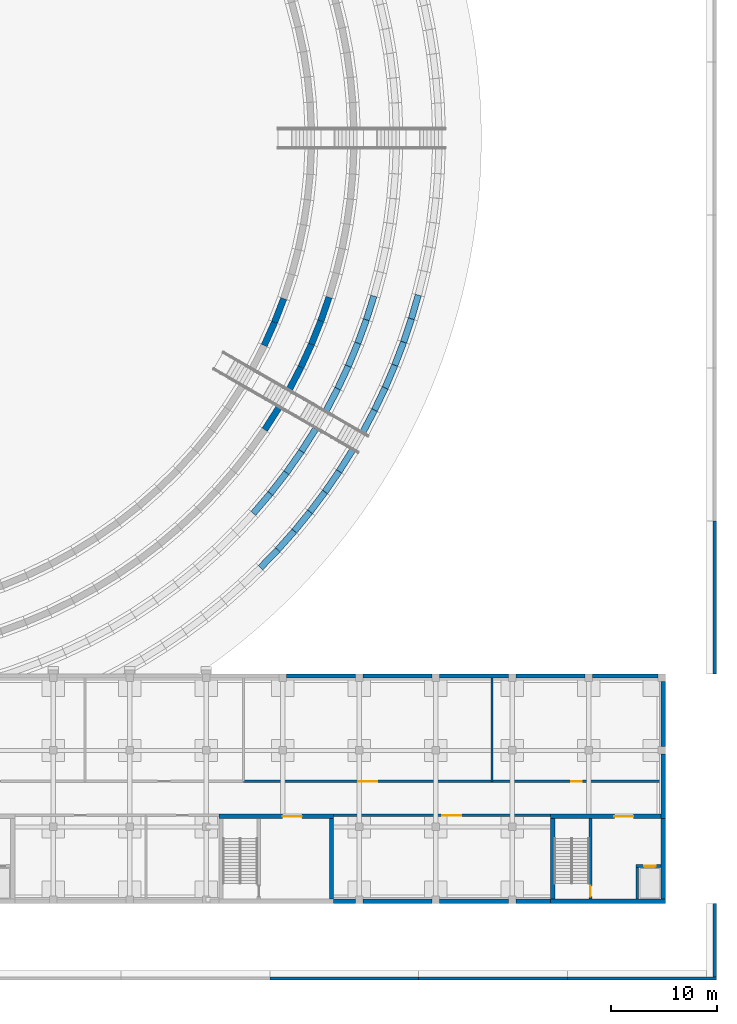
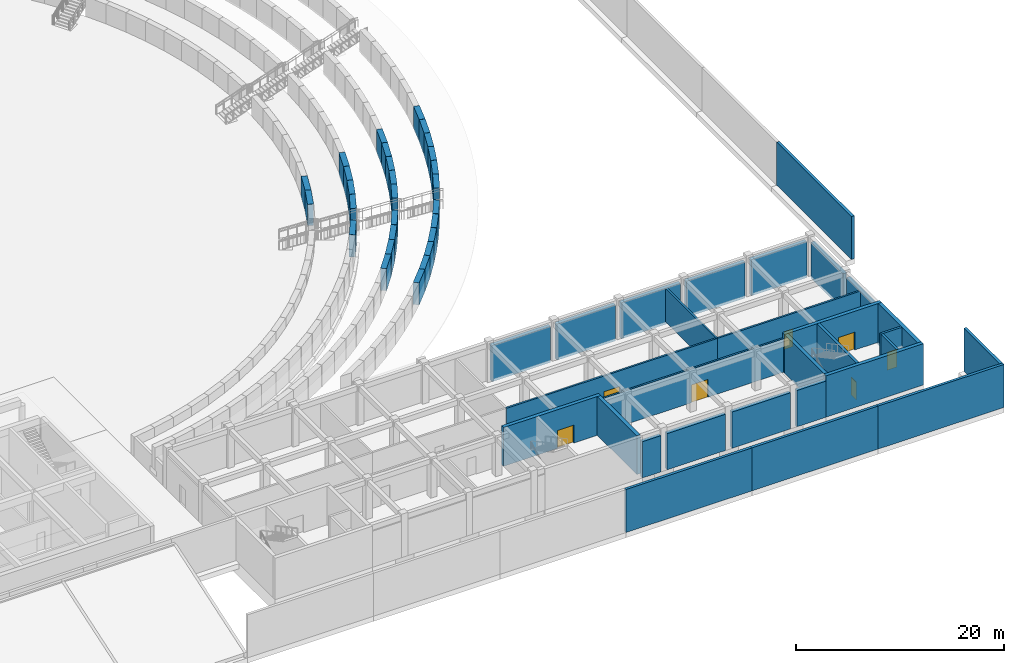
# One storey, part 46 of 73: 57 walls, 7 doors, 7 openings.
"""IFC4 building model written with IfcOpenShell, lengths in metres."""

from ifc_helpers import new_model, si_unit, direction, frame, frame_2d, origin, place, context, subcontext, project, spatial, rectangle, extrude, material, layer, layer_set, type_object, element, fill, save


model = new_model("IFC4")

# Units and contexts
model_context = context("Model", 3, precision=1e-05, world=origin(), true_north=direction((0.0, 1.0)))
body_context = subcontext(model_context, "Body", "Model", "MODEL_VIEW")
ifc_project = project(units=[si_unit("LENGTHUNIT", "METRE"), si_unit("AREAUNIT", "SQUARE_METRE"), si_unit("VOLUMEUNIT", "CUBIC_METRE"), si_unit("PLANEANGLEUNIT", "RADIAN"), si_unit("MASSUNIT", "GRAM", prefix="KILO")], contexts=[model_context])

# Site, building, storey
site_placement = place(None, origin())
site = spatial("IfcSite", under=ifc_project, at=site_placement, CompositionType="ELEMENT")
building_placement = place(site_placement, origin())
building = spatial("IfcBuilding", under=site, at=building_placement, Name="Alderwick Market Hall", CompositionType="ELEMENT")
storey_placement = place(building_placement, origin())
storey = spatial("IfcBuildingStorey", under=building, at=storey_placement, Name="LG", CompositionType="ELEMENT", Elevation=0.0)

# Walls
ifc_material_1 = material(Name="Concrete 5000 psi (f'c 35 MPa)", Category="concrete")
ifc_layer_1 = layer(ifc_material_1, 0.39990234375)
ifc_layer_set_1 = layer_set([ifc_layer_1], Name="Concrete 5000 psi (f'c 35 MPa)")
wall_type_1 = type_object("IfcWallType", Name="C Base Wall Concrete 5000 psi 400", PredefinedType="SHEAR", material=ifc_layer_set_1)
for number, where, z_axis, x_axis, name in (
    (1, (194.75, 28.60009765625, -0.300048828125), (0.0, 0.0, 1.0), (1.0, 0.0, 0.0), "C.wall.LG.fac.front.06"),
    (2, (201.949951171875, 28.60009765625, -0.300048828125), (0.0, 0.0, 1.0), (1.0, 0.0, 0.0), "C.wall.LG.fac.front.07"),
    (3, (209.14990234375, 28.60009765625, -0.300048828125), (0.0, 0.0, 1.0), (1.0, 0.0, 0.0), "C.wall.LG.fac.front.08"),
    (4, (216.35009765625, 28.60009765625, -0.300048828125), (0.0, 0.0, 1.0), (1.0, 0.0, 0.0), "C.wall.LG.fac.front.09"),
):
    element("IfcWall", number, at=place(storey_placement, frame(where, z_axis=z_axis, x_axis=x_axis)), inside=storey, type_object=wall_type_1, Name=name, PredefinedType="SHEAR", context=body_context, shape_type="SweptSolid", body=[
        extrude(rectangle(XDim=6.5, YDim=0.39990234375, at=frame_2d((3.25, 0.0))), origin(), (0.0, 0.0, 1.0), 4.25),
    ])
wall_1_placement = place(storey_placement, frame((223.550048828125, 28.60009765625, -0.300048828125), z_axis=(0.0, 0.0, 1.0), x_axis=(1.0, 0.0, 0.0)))
element("IfcWall", 5, at=wall_1_placement, inside=storey, type_object=wall_type_1, Name="C.wall.LG.fac.front.10", PredefinedType="SHEAR", context=body_context, shape_type="SweptSolid", body=[
    extrude(rectangle(XDim=6.14990234375, YDim=0.39990234375, at=frame_2d((3.074951171875, 0.0))), origin(), (0.0, 0.0, 1.0), 4.25),
])
wall_2_placement = place(storey_placement, frame((201.25, 7.39990234375, -0.300048828125), z_axis=(0.0, 0.0, 1.0), x_axis=(-1.0, 0.0, 0.0)))
element("IfcWall", 6, at=wall_2_placement, inside=storey, type_object=wall_type_1, Name="C.wall.LG.fac.back.07", PredefinedType="SHEAR", context=body_context, shape_type="SweptSolid", body=[
    extrude(rectangle(XDim=2.050048828125, YDim=0.39990234375, at=frame_2d((1.02490234375, 0.0))), origin(), (0.0, 0.0, 1.0), 4.25),
])
for number, where, z_axis, x_axis, name in (
    (7, (208.449951171875, 7.39990234375, -0.300048828125), (0.0, 0.0, 1.0), (-1.0, 0.0, 0.0), "C.wall.LG.fac.back.08"),
    (8, (215.64990234375, 7.39990234375, -0.300048828125), (0.0, 0.0, 1.0), (-1.0, 0.0, 0.0), "C.wall.LG.fac.back.09"),
):
    element("IfcWall", number, at=place(storey_placement, frame(where, z_axis=z_axis, x_axis=x_axis)), inside=storey, type_object=wall_type_1, Name=name, PredefinedType="SHEAR", context=body_context, shape_type="SweptSolid", body=[
        extrude(rectangle(XDim=6.5, YDim=0.39990234375, at=frame_2d((3.25, 0.0))), origin(), (0.0, 0.0, 1.0), 4.25),
    ])
wall_3_placement = place(storey_placement, frame((219.60009765625, 7.39990234375, -0.300048828125), z_axis=(0.0, 0.0, 1.0), x_axis=(-1.0, 0.0, 0.0)))
element("IfcWall", 9, at=wall_3_placement, inside=storey, type_object=wall_type_1, Name="C.wall.LG.fac.back.10", PredefinedType="SHEAR", context=body_context, shape_type="SweptSolid", body=[
    extrude(rectangle(XDim=3.25, YDim=0.39990234375, at=frame_2d((1.625, 0.0))), origin(), (0.0, 0.0, 1.0), 4.25),
])
wall_4_placement = place(storey_placement, frame((230.199951171875, 28.10009765625, -0.300048828125), z_axis=(0.0, 0.0, 1.0), x_axis=(0.0, -1.0, 0.0)))
element("IfcWall", 10, at=wall_4_placement, inside=storey, type_object=wall_type_1, Name="C.wall.LG.fac.east.01", PredefinedType="SHEAR", context=body_context, shape_type="SweptSolid", body=[
    extrude(rectangle(XDim=6.150146484375, YDim=0.39990234375, at=frame_2d((3.0751953125, 0.0))), origin(), (0.0, 0.0, 1.0), 4.25),
])
wall_5_placement = place(storey_placement, frame((230.199951171875, 21.25, -0.300048828125), z_axis=(0.0, 0.0, 1.0), x_axis=(0.0, -1.0, 0.0)))
element("IfcWall", 11, at=wall_5_placement, inside=storey, type_object=wall_type_1, Name="C.wall.LG.fac.east.02", PredefinedType="SHEAR", context=body_context, shape_type="SweptSolid", body=[
    extrude(rectangle(XDim=6.050048828125, YDim=0.39990234375, at=frame_2d((3.02490234375, 0.0))), origin(), (0.0, 0.0, 1.0), 4.25),
])
ifc_layer_2 = layer(ifc_material_1, 0.39990234375)
ifc_layer_set_2 = layer_set([ifc_layer_2], Name="Concrete 5000 psi (f'c 35 MPa)")
wall_type_2 = type_object("IfcWallType", Name="C Core Wall Concrete 5000 psi 400", PredefinedType="SHEAR", material=ifc_layer_set_2)
wall_6_placement = place(storey_placement, frame((230.39990234375, 7.39990234375, -0.300048828125), z_axis=(0.0, 0.0, 1.0), x_axis=(-1.0, 0.0, 0.0)))
element("IfcWall", 12, at=wall_6_placement, inside=storey, type_object=wall_type_2, Name="C.wall.LG.fac.back.11", PredefinedType="SHEAR", context=body_context, shape_type="SweptSolid", body=[
    extrude(rectangle(XDim=10.7998046875, YDim=0.39990234375, at=frame_2d((5.39990234375, 0.0))), origin(), (0.0, 0.0, 1.0), 4.85009765625),
])
wall_7_placement = place(storey_placement, frame((230.199951171875, 15.199951171875, -0.300048828125), z_axis=(0.0, 0.0, 1.0), x_axis=(0.0, -1.0, 0.0)))
element("IfcWall", 13, at=wall_7_placement, inside=storey, type_object=wall_type_2, Name="C.wall.LG.fac.east.03", PredefinedType="SHEAR", context=body_context, shape_type="SweptSolid", body=[
    extrude(rectangle(XDim=7.599853515625, YDim=0.39990234375, at=frame_2d((3.7998046875, 0.0))), origin(), (0.0, 0.0, 1.0), 4.85009765625),
])

# Wall, opening, door
wall_8_placement = place(storey_placement, frame((188.39990234375, 15.39990234375, 0.0), z_axis=(0.0, 0.0, 1.0), x_axis=(1.0, 0.0, 0.0)))
wall_8 = element("IfcWall", 14, at=wall_8_placement, inside=storey, type_object=wall_type_2, Name="C.wall.LG.core.B.front.01", PredefinedType="SHEAR", context=body_context, shape_type="SweptSolid", body=[
    extrude(rectangle(XDim=10.800048828125, YDim=0.39990234375, at=frame_2d((5.39990234375, 0.0))), origin(), (0.0, 0.0, 1.0), 4.550048828125),
])
opening_1_placement = place(wall_8_placement, frame((6.0, 0.0, 0.0)))
opening_1 = element("IfcOpeningElement", 15, at=opening_1_placement, cuts=wall_8, Name="Opening C-D023", PredefinedType="OPENING", context=body_context, shape_type="SweptSolid", body=[
    extrude(rectangle(XDim=1.800048828125, YDim=2.10009765625, at=frame_2d((0.89990234375, 1.050048828125))), frame((0.0, 0.2099609375, 0.0), z_axis=(0.0, -1.0, 0.0), x_axis=(1.0, 0.0, 0.0)), (0.0, 0.0, 1.0), 0.419921875),
])
ifc_material_2 = material(Name="Steel, insulated", Category="steel")
door_type_1 = type_object("IfcDoorType", Name="C Fire Door Pair FD90 1800x2100", OperationType="NOTDEFINED", PredefinedType="DOOR", material=ifc_material_2)
door_1_placement = place(opening_1_placement, origin())
door_1 = element("IfcDoor", 16, at=door_1_placement, inside=storey, type_object=door_type_1, Name="C.door.LG.023", OperationType="NOTDEFINED", OverallHeight=2.10009765625, OverallWidth=1.800048828125, PredefinedType="DOOR", context=body_context, shape_type="SweptSolid", body=[
    extrude(rectangle(XDim=1.800048828125, YDim=2.10009765625, at=frame_2d((0.89990234375, 1.050048828125))), frame((0.0, 0.02490234375, 0.0), z_axis=(0.0, -1.0, 0.0), x_axis=(1.0, 0.0, 0.0)), (0.0, 0.0, 1.0), 0.050048828125),
])
fill(opening_1, door_1)

# Wall
wall_9_placement = place(storey_placement, frame((199.0, 15.199951171875, 0.0), z_axis=(0.0, 0.0, 1.0), x_axis=(0.0, -1.0, 0.0)))
element("IfcWall", 17, at=wall_9_placement, inside=storey, type_object=wall_type_2, Name="C.wall.LG.core.B.east.01", PredefinedType="SHEAR", context=body_context, shape_type="SweptSolid", body=[
    extrude(rectangle(XDim=7.599853515625, YDim=0.39990234375, at=frame_2d((3.7998046875, 0.0))), origin(), (0.0, 0.0, 1.0), 4.550048828125),
])

# Wall, opening, door
wall_10_placement = place(storey_placement, frame((219.60009765625, 15.39990234375, 0.0), z_axis=(0.0, 0.0, 1.0), x_axis=(1.0, 0.0, 0.0)))
wall_10 = element("IfcWall", 18, at=wall_10_placement, inside=storey, type_object=wall_type_2, Name="C.wall.LG.core.C.front.01", PredefinedType="SHEAR", context=body_context, shape_type="SweptSolid", body=[
    extrude(rectangle(XDim=10.7998046875, YDim=0.39990234375, at=frame_2d((5.39990234375, 0.0))), origin(), (0.0, 0.0, 1.0), 4.550048828125),
])
opening_2_placement = place(wall_10_placement, frame((6.0, 0.0, 0.0)))
opening_2 = element("IfcOpeningElement", 19, at=opening_2_placement, cuts=wall_10, Name="Opening C-D025", PredefinedType="OPENING", context=body_context, shape_type="SweptSolid", body=[
    extrude(rectangle(XDim=1.800048828125, YDim=2.10009765625, at=frame_2d((0.89990234375, 1.050048828125))), frame((0.0, 0.2099609375, 0.0), z_axis=(0.0, -1.0, 0.0), x_axis=(1.0, 0.0, 0.0)), (0.0, 0.0, 1.0), 0.419921875),
])
door_2_placement = place(opening_2_placement, origin())
door_2 = element("IfcDoor", 20, at=door_2_placement, inside=storey, type_object=door_type_1, Name="C.door.LG.025", OperationType="NOTDEFINED", OverallHeight=2.10009765625, OverallWidth=1.800048828125, PredefinedType="DOOR", context=body_context, shape_type="SweptSolid", body=[
    extrude(rectangle(XDim=1.800048828125, YDim=2.10009765625, at=frame_2d((0.89990234375, 1.050048828125))), frame((0.0, 0.02490234375, 0.0), z_axis=(0.0, -1.0, 0.0), x_axis=(1.0, 0.0, 0.0)), (0.0, 0.0, 1.0), 0.050048828125),
])
fill(opening_2, door_2)

# Wall
wall_11_placement = place(storey_placement, frame((219.800048828125, 15.199951171875, 0.0), z_axis=(0.0, 0.0, 1.0), x_axis=(0.0, -1.0, 0.0)))
element("IfcWall", 21, at=wall_11_placement, inside=storey, type_object=wall_type_2, Name="C.wall.LG.core.C.west.01", PredefinedType="SHEAR", context=body_context, shape_type="SweptSolid", body=[
    extrude(rectangle(XDim=7.599853515625, YDim=0.39990234375, at=frame_2d((3.7998046875, 0.0))), origin(), (0.0, 0.0, 1.0), 4.550048828125),
])

# Wall, opening, door
ifc_material_3 = material(Name="Gypsum board on steel studs", Category="steel")
ifc_layer_3 = layer(ifc_material_3, 0.199951171875)
ifc_layer_set_3 = layer_set([ifc_layer_3], Name="Gypsum board on steel studs")
wall_type_3 = type_object("IfcWallType", Name="C Fire Partition Wall 200", PredefinedType="PARTITIONING", material=ifc_layer_set_3)
wall_12_placement = place(storey_placement, frame((190.699951171875, 18.699951171875, 0.0), z_axis=(0.0, 0.0, 1.0), x_axis=(1.0, 0.0, 0.0)))
wall_12 = element("IfcWall", 22, at=wall_12_placement, inside=storey, type_object=wall_type_3, Name="C.wall.LG.part.003", PredefinedType="PARTITIONING", context=body_context, shape_type="SweptSolid", body=[
    extrude(rectangle(XDim=23.400146484375, YDim=0.199951171875, at=frame_2d((11.7001953125, 0.0))), origin(), (0.0, 0.0, 1.0), 3.949951171875),
])
opening_3_placement = place(wall_12_placement, frame((10.800048828125, 0.0, 0.0)))
opening_3 = element("IfcOpeningElement", 23, at=opening_3_placement, cuts=wall_12, Name="Opening C-D029", PredefinedType="OPENING", context=body_context, shape_type="SweptSolid", body=[
    extrude(rectangle(XDim=1.800048828125, YDim=2.10009765625, at=frame_2d((0.89990234375, 1.050048828125))), frame((0.0, 0.10986328125, 0.0), z_axis=(0.0, -1.0, 0.0), x_axis=(1.0, 0.0, 0.0)), (0.0, 0.0, 1.0), 0.219970703125),
])
door_type_2 = type_object("IfcDoorType", Name="C Fire Door Pair FD60 1800x2100", OperationType="NOTDEFINED", PredefinedType="DOOR", material=ifc_material_2)
door_3_placement = place(opening_3_placement, origin())
door_3 = element("IfcDoor", 24, at=door_3_placement, inside=storey, type_object=door_type_2, Name="C.door.LG.029", OperationType="NOTDEFINED", OverallHeight=2.10009765625, OverallWidth=1.800048828125, PredefinedType="DOOR", context=body_context, shape_type="SweptSolid", body=[
    extrude(rectangle(XDim=1.800048828125, YDim=2.10009765625, at=frame_2d((0.89990234375, 1.050048828125))), frame((0.0, 0.02490234375, 0.0), z_axis=(0.0, -1.0, 0.0), x_axis=(1.0, 0.0, 0.0)), (0.0, 0.0, 1.0), 0.050048828125),
])
fill(opening_3, door_3)

wall_13_placement = place(storey_placement, frame((199.199951171875, 15.5, 0.0), z_axis=(0.0, 0.0, 1.0), x_axis=(1.0, 0.0, 0.0)))
wall_13 = element("IfcWall", 25, at=wall_13_placement, inside=storey, type_object=wall_type_3, Name="C.wall.LG.part.007", PredefinedType="PARTITIONING", context=body_context, shape_type="SweptSolid", body=[
    extrude(rectangle(XDim=20.400146484375, YDim=0.199951171875, at=frame_2d((10.2001953125, 0.0))), origin(), (0.0, 0.0, 1.0), 3.949951171875),
])
opening_4_placement = place(wall_13_placement, frame((10.199951171875, 0.0, 0.0)))
opening_4 = element("IfcOpeningElement", 26, at=opening_4_placement, cuts=wall_13, Name="Opening C-D033", PredefinedType="OPENING", context=body_context, shape_type="SweptSolid", body=[
    extrude(rectangle(XDim=1.800048828125, YDim=2.10009765625, at=frame_2d((0.89990234375, 1.050048828125))), frame((0.0, 0.10986328125, 0.0), z_axis=(0.0, -1.0, 0.0), x_axis=(1.0, 0.0, 0.0)), (0.0, 0.0, 1.0), 0.219970703125),
])
door_4_placement = place(opening_4_placement, origin())
door_4 = element("IfcDoor", 27, at=door_4_placement, inside=storey, type_object=door_type_2, Name="C.door.LG.033", OperationType="NOTDEFINED", OverallHeight=2.10009765625, OverallWidth=1.800048828125, PredefinedType="DOOR", context=body_context, shape_type="SweptSolid", body=[
    extrude(rectangle(XDim=1.800048828125, YDim=2.10009765625, at=frame_2d((0.89990234375, 1.050048828125))), frame((0.0, 0.02490234375, 0.0), z_axis=(0.0, -1.0, 0.0), x_axis=(1.0, 0.0, 0.0)), (0.0, 0.0, 1.0), 0.050048828125),
])
fill(opening_4, door_4)

# Walls
wall_14_placement = place(storey_placement, frame((214.10009765625, 28.39990234375, 0.0), z_axis=(0.0, 0.0, 1.0), x_axis=(0.0, -1.0, 0.0)))
element("IfcWall", 28, at=wall_14_placement, inside=storey, type_object=wall_type_3, Name="C.wall.LG.part.011", PredefinedType="PARTITIONING", context=body_context, shape_type="SweptSolid", body=[
    extrude(rectangle(XDim=9.699951171875, YDim=0.199951171875, at=frame_2d((4.85009765625, 0.0))), origin(), (0.0, 0.0, 1.0), 3.949951171875),
])
ifc_layer_4 = layer(ifc_material_1, 0.25)
ifc_layer_set_4 = layer_set([ifc_layer_4], Name="Concrete 5000 psi (f'c 35 MPa)")
wall_type_4 = type_object("IfcWallType", Name="C Lift Shaft Wall Concrete 5000 psi 250", PredefinedType="SHEAR", material=ifc_layer_set_4)
wall_15_placement = place(storey_placement, frame((227.77490234375, 10.85009765625, 0.0), z_axis=(0.0, 0.0, 1.0), x_axis=(0.0, -1.0, 0.0)))
element("IfcWall", 29, at=wall_15_placement, inside=storey, type_object=wall_type_4, Name="C.wall.LG.core.C.shaftw.01", PredefinedType="SHEAR", context=body_context, shape_type="SweptSolid", body=[
    extrude(rectangle(XDim=3.25, YDim=0.25, at=frame_2d((1.625, 0.0))), origin(), (0.0, 0.0, 1.0), 4.550048828125),
])

# Wall, opening, door
wall_16_placement = place(storey_placement, frame((227.64990234375, 10.72509765625, 0.0), z_axis=(0.0, 0.0, 1.0), x_axis=(1.0, 0.0, 0.0)))
wall_16 = element("IfcWall", 30, at=wall_16_placement, inside=storey, type_object=wall_type_4, Name="C.wall.LG.core.C.shaftf.01", PredefinedType="SHEAR", context=body_context, shape_type="SweptSolid", body=[
    extrude(rectangle(XDim=2.35009765625, YDim=0.25, at=frame_2d((1.175048828125, 0.0))), origin(), (0.0, 0.0, 1.0), 4.550048828125),
])
opening_5_placement = place(wall_16_placement, frame((0.75, 0.0, 0.0)))
opening_5 = element("IfcOpeningElement", 31, at=opening_5_placement, cuts=wall_16, Name="Opening C-D026", PredefinedType="OPENING", context=body_context, shape_type="SweptSolid", body=[
    extrude(rectangle(XDim=1.10009765625, YDim=2.10009765625, at=frame_2d((0.550048828125, 1.050048828125))), frame((0.0, 0.135009765625, 0.0), z_axis=(0.0, -1.0, 0.0), x_axis=(1.0, 0.0, 0.0)), (0.0, 0.0, 1.0), 0.27001953125),
])
ifc_material_4 = material(Name="Stainless steel", Category="steel")
door_type_3 = type_object("IfcDoorType", Name="C Lift Landing Door 1100x2100", OperationType="SLIDING_TO_LEFT", PredefinedType="DOOR", material=ifc_material_4)
door_5_placement = place(opening_5_placement, origin())
door_5 = element("IfcDoor", 32, at=door_5_placement, inside=storey, type_object=door_type_3, Name="C.door.LG.026", OperationType="SLIDING_TO_LEFT", OverallHeight=2.10009765625, OverallWidth=1.10009765625, PredefinedType="DOOR", context=body_context, shape_type="SweptSolid", body=[
    extrude(rectangle(XDim=1.10009765625, YDim=2.10009765625, at=frame_2d((0.550048828125, 1.050048828125))), frame((0.0, 0.02490234375, 0.0), z_axis=(0.0, -1.0, 0.0), x_axis=(1.0, 0.0, 0.0)), (0.0, 0.0, 1.0), 0.050048828125),
])
fill(opening_5, door_5)

ifc_layer_5 = layer(ifc_material_3, 0.199951171875)
ifc_layer_set_5 = layer_set([ifc_layer_5], Name="Gypsum board on steel studs")
wall_type_5 = type_object("IfcWallType", Name="C Partition Wall 200", PredefinedType="PARTITIONING", material=ifc_layer_set_5)
wall_17_placement = place(storey_placement, frame((214.10009765625, 18.699951171875, 0.0), z_axis=(0.0, 0.0, 1.0), x_axis=(1.0, 0.0, 0.0)))
wall_17 = element("IfcWall", 33, at=wall_17_placement, inside=storey, type_object=wall_type_5, Name="C.wall.LG.part.004", PredefinedType="PARTITIONING", context=body_context, shape_type="SweptSolid", body=[
    extrude(rectangle(XDim=15.89990234375, YDim=0.199951171875, at=frame_2d((7.949951171875, 0.0))), origin(), (0.0, 0.0, 1.0), 3.949951171875),
])
opening_6_placement = place(wall_17_placement, frame((7.449951171875, 0.0, 0.0)))
opening_6 = element("IfcOpeningElement", 34, at=opening_6_placement, cuts=wall_17, Name="Opening C-D030", PredefinedType="OPENING", context=body_context, shape_type="SweptSolid", body=[
    extrude(rectangle(XDim=1.0, YDim=2.10009765625, at=frame_2d((0.5, 1.050048828125))), frame((0.0, 0.10986328125, 0.0), z_axis=(0.0, -1.0, 0.0), x_axis=(1.0, 0.0, 0.0)), (0.0, 0.0, 1.0), 0.219970703125),
])
ifc_material_5 = material(Name="Timber, solid core", Category="wood")
door_type_4 = type_object("IfcDoorType", Name="C Door 1000x2100", OperationType="NOTDEFINED", PredefinedType="DOOR", material=ifc_material_5)
door_6_placement = place(opening_6_placement, origin())
door_6 = element("IfcDoor", 35, at=door_6_placement, inside=storey, type_object=door_type_4, Name="C.door.LG.030", OperationType="NOTDEFINED", OverallHeight=2.10009765625, OverallWidth=1.0, PredefinedType="DOOR", context=body_context, shape_type="SweptSolid", body=[
    extrude(rectangle(XDim=1.0, YDim=2.10009765625, at=frame_2d((0.5, 1.050048828125))), frame((0.0, 0.02490234375, 0.0), z_axis=(0.0, -1.0, 0.0), x_axis=(1.0, 0.0, 0.0)), (0.0, 0.0, 1.0), 0.050048828125),
])
fill(opening_6, door_6)

ifc_layer_6 = layer(ifc_material_1, 0.300048828125)
ifc_layer_set_6 = layer_set([ifc_layer_6], Name="Concrete 5000 psi (f'c 35 MPa)")
wall_type_6 = type_object("IfcWallType", Name="C Stair Divider Wall Concrete 5000 psi 300", PredefinedType="SHEAR", material=ifc_layer_set_6)
wall_18_placement = place(storey_placement, frame((223.35009765625, 15.199951171875, 0.0), z_axis=(0.0, 0.0, 1.0), x_axis=(0.0, -1.0, 0.0)))
wall_18 = element("IfcWall", 36, at=wall_18_placement, inside=storey, type_object=wall_type_6, Name="C.wall.LG.core.C.div.01", PredefinedType="SHEAR", context=body_context, shape_type="SweptSolid", body=[
    extrude(rectangle(XDim=7.599853515625, YDim=0.300048828125, at=frame_2d((3.7998046875, 0.0))), origin(), (0.0, 0.0, 1.0), 4.550048828125),
])
opening_7_placement = place(wall_18_placement, frame((6.35009765625, 0.0, 0.0)))
opening_7 = element("IfcOpeningElement", 37, at=opening_7_placement, cuts=wall_18, Name="Opening C-D024", PredefinedType="OPENING", context=body_context, shape_type="SweptSolid", body=[
    extrude(rectangle(XDim=1.0, YDim=2.10009765625, at=frame_2d((0.5, 1.050048828125))), frame((0.0, 0.159912109375, 0.0), z_axis=(0.0, -1.0, 0.0), x_axis=(1.0, 0.0, 0.0)), (0.0, 0.0, 1.0), 0.320068359375),
])
door_type_5 = type_object("IfcDoorType", Name="C Fire Door FD90 1000x2100", OperationType="NOTDEFINED", PredefinedType="DOOR", material=ifc_material_2)
door_7_placement = place(opening_7_placement, origin())
door_7 = element("IfcDoor", 38, at=door_7_placement, inside=storey, type_object=door_type_5, Name="C.door.LG.024", OperationType="NOTDEFINED", OverallHeight=2.10009765625, OverallWidth=1.0, PredefinedType="DOOR", context=body_context, shape_type="SweptSolid", body=[
    extrude(rectangle(XDim=1.0, YDim=2.10009765625, at=frame_2d((0.5, 1.050048828125))), frame((0.0, 0.02490234375, 0.0), z_axis=(0.0, -1.0, 0.0), x_axis=(1.0, 0.0, 0.0)), (0.0, 0.0, 1.0), 0.050048828125),
])
fill(opening_7, door_7)

# Walls
ifc_layer_7 = layer(ifc_material_1, 0.300048828125)
ifc_layer_set_7 = layer_set([ifc_layer_7], Name="Concrete 5000 psi (f'c 35 MPa)")
wall_type_7 = type_object("IfcWallType", Name="S Retaining Wall 300", PredefinedType="SOLIDWALL", material=ifc_layer_set_7)
for number, where, z_axis, x_axis, name in (
    (39, (193.199951171875, 0.15087890625, -0.25), (0.0, 0.0, 1.0), (1.0, 0.0, 0.0), "Boundary wall S01d"),
    (40, (207.199951171875, 0.15087890625, -0.25), (0.0, 0.0, 1.0), (1.0, 0.0, 0.0), "Boundary wall S01e"),
):
    element("IfcWall", number, at=place(storey_placement, frame(where, z_axis=z_axis, x_axis=x_axis)), inside=storey, type_object=wall_type_7, Name=name, PredefinedType="SOLIDWALL", context=body_context, shape_type="SweptSolid", body=[
        extrude(rectangle(XDim=14.0, YDim=0.300048828125, at=frame_2d((7.0, 0.0))), origin(), (0.0, 0.0, 1.0), 5.050048828125),
    ])
wall_19_placement = place(storey_placement, frame((221.199951171875, 0.15087890625, -0.25), z_axis=(0.0, 0.0, 1.0), x_axis=(1.0, 0.0, 0.0)))
element("IfcWall", 41, at=wall_19_placement, inside=storey, type_object=wall_type_7, Name="Boundary wall S01f", PredefinedType="SOLIDWALL", context=body_context, shape_type="SweptSolid", body=[
    extrude(rectangle(XDim=13.9990234375, YDim=0.300048828125, at=frame_2d((6.99951171875, 0.0))), origin(), (0.0, 0.0, 1.0), 5.050048828125),
])
wall_20_placement = place(storey_placement, frame((235.049072265625, 0.300048828125, -0.25), z_axis=(0.0, 0.0, 1.0), x_axis=(0.0, 1.0, 0.0)))
element("IfcWall", 42, at=wall_20_placement, inside=storey, type_object=wall_type_7, Name="Boundary wall E03a", PredefinedType="SOLIDWALL", context=body_context, shape_type="SweptSolid", body=[
    extrude(rectangle(XDim=6.89990234375, YDim=0.300048828125, at=frame_2d((3.449951171875, 0.0))), origin(), (0.0, 0.0, 1.0), 5.050048828125),
])
wall_21_placement = place(storey_placement, frame((235.049072265625, 28.800048828125, -0.25), z_axis=(0.0, 0.0, 1.0), x_axis=(0.0, 1.0, 0.0)))
element("IfcWall", 43, at=wall_21_placement, inside=storey, type_object=wall_type_7, Name="Boundary wall E04a", PredefinedType="SOLIDWALL", context=body_context, shape_type="SweptSolid", body=[
    extrude(rectangle(XDim=14.39990234375, YDim=0.300048828125, at=frame_2d((7.199951171875, 0.0))), origin(), (0.0, 0.0, 1.0), 5.050048828125),
])
ifc_layer_8 = layer(ifc_material_1, 0.60009765625)
ifc_layer_set_8 = layer_set([ifc_layer_8], Name="Concrete 5000 psi (f'c 35 MPa)")
wall_type_8 = type_object("IfcWallType", Name="S Terrace Wall 600", PredefinedType="SOLIDWALL", material=ifc_layer_set_8)
for number, where, z_axis, x_axis, name in (
    (44, (192.659912109375, 59.70947265625, -0.199951171875), (0.0, 0.0, 1.0), (0.409097149964, 0.912490833867, 0.0), "Terrace wall W1.18"),
    (45, (193.639404296875, 61.8955078125, -0.199951171875), (0.0, 0.0, 1.0), (0.360058359474, 0.932929781802, 0.0), "Terrace wall W1.19"),
):
    element("IfcWall", number, at=place(storey_placement, frame(where, z_axis=z_axis, x_axis=x_axis)), inside=storey, type_object=wall_type_8, Name=name, PredefinedType="SOLIDWALL", context=body_context, shape_type="SweptSolid", body=[
        extrude(rectangle(XDim=2.37939453125, YDim=0.60009765625, at=frame_2d((1.189697265625, 0.0))), origin(), (0.0, 0.0, 1.0), 2.5),
    ])
wall_22_placement = place(storey_placement, frame((192.7138671875, 51.78662109375, 0.89990234375), z_axis=(0.0, 0.0, 1.0), x_axis=(0.538735166134, 0.842475175166, 0.0)))
element("IfcWall", 46, at=wall_22_placement, inside=storey, type_object=wall_type_8, Name="Terrace wall W2.18", PredefinedType="SOLIDWALL", context=body_context, shape_type="SweptSolid", body=[
    extrude(rectangle(XDim=2.436279296875, YDim=0.60009765625, at=frame_2d((1.21826171875, 0.0))), origin(), (0.0, 0.0, 1.0), 2.60009765625),
])
wall_23_placement = place(storey_placement, frame((195.0263671875, 55.571044921875, 0.89990234375), z_axis=(0.0, 0.0, 1.0), x_axis=(0.460909357557, 0.887447217651, 0.0)))
element("IfcWall", 47, at=wall_23_placement, inside=storey, type_object=wall_type_8, Name="Terrace wall W2.19", PredefinedType="SOLIDWALL", context=body_context, shape_type="SweptSolid", body=[
    extrude(rectangle(XDim=2.358154296875, YDim=0.60009765625, at=frame_2d((1.17919921875, 0.0))), origin(), (0.0, 0.0, 1.0), 2.60009765625),
])
wall_24_placement = place(storey_placement, frame((196.11962890625, 57.6767578125, 0.89990234375), z_axis=(0.0, 0.0, 1.0), x_axis=(0.417562740917, 0.908648093267, 0.0)))
element("IfcWall", 48, at=wall_24_placement, inside=storey, type_object=wall_type_8, Name="Terrace wall W2.20", PredefinedType="SOLIDWALL", context=body_context, shape_type="SweptSolid", body=[
    extrude(rectangle(XDim=2.35107421875, YDim=0.60009765625, at=frame_2d((1.175537109375, 0.0))), origin(), (0.0, 0.0, 1.0), 2.60009765625),
])
for number, where, z_axis, x_axis, name in (
    (49, (197.107177734375, 59.826416015625, 0.89990234375), (0.0, 0.0, 1.0), (0.37325214334, 0.927729937801, 0.0), "Terrace wall W2.21"),
    (50, (197.989501953125, 62.02099609375, 0.89990234375), (0.0, 0.0, 1.0), (0.328073474805, 0.944652208556, 0.0), "Terrace wall W2.22"),
):
    element("IfcWall", number, at=place(storey_placement, frame(where, z_axis=z_axis, x_axis=x_axis)), inside=storey, type_object=wall_type_8, Name=name, PredefinedType="SOLIDWALL", context=body_context, shape_type="SweptSolid", body=[
        extrude(rectangle(XDim=2.350830078125, YDim=0.60009765625, at=frame_2d((1.17529296875, 0.0))), origin(), (0.0, 0.0, 1.0), 2.60009765625),
    ])
for number, where, z_axis, x_axis, name in (
    (51, (191.6396484375, 43.906982421875, 2.10009765625), (0.0, 0.0, 1.0), (0.648421637173, 0.76128140687, 0.0), "Terrace wall W3.12"),
    (52, (193.240478515625, 45.787109375, 2.10009765625), (0.0, 0.0, 1.0), (0.612321590934, 0.790608796609, 0.0), "Terrace wall W3.13"),
    (53, (194.752197265625, 47.739501953125, 2.10009765625), (0.0, 0.0, 1.0), (0.574842963648, 0.818263751576, 0.0), "Terrace wall W3.14"),
):
    element("IfcWall", number, at=place(storey_placement, frame(where, z_axis=z_axis, x_axis=x_axis)), inside=storey, type_object=wall_type_8, Name=name, PredefinedType="SOLIDWALL", context=body_context, shape_type="SweptSolid", body=[
        extrude(rectangle(XDim=2.455322265625, YDim=0.60009765625, at=frame_2d((1.2275390625, 0.0))), origin(), (0.0, 0.0, 1.0), 2.599853515625),
    ])
wall_25_placement = place(storey_placement, frame((196.17138671875, 49.760009765625, 2.10009765625), z_axis=(0.0, 0.0, 1.0), x_axis=(0.536028327033, 0.844199995628, 0.0)))
element("IfcWall", 54, at=wall_25_placement, inside=storey, type_object=wall_type_8, Name="Terrace wall W3.15", PredefinedType="SOLIDWALL", context=body_context, shape_type="SweptSolid", body=[
    extrude(rectangle(XDim=2.462158203125, YDim=0.60009765625, at=frame_2d((1.23095703125, 0.0))), origin(), (0.0, 0.0, 1.0), 2.599853515625),
])
wall_26_placement = place(storey_placement, frame((198.4912109375, 53.57080078125, 2.10009765625), z_axis=(0.0, 0.0, 1.0), x_axis=(0.464120341035, 0.885772154133, 0.0)))
element("IfcWall", 55, at=wall_26_placement, inside=storey, type_object=wall_type_8, Name="Terrace wall W3.16", PredefinedType="SOLIDWALL", context=body_context, shape_type="SweptSolid", body=[
    extrude(rectangle(XDim=2.333984375, YDim=0.60009765625, at=frame_2d((1.1669921875, 0.0))), origin(), (0.0, 0.0, 1.0), 2.599853515625),
])
wall_27_placement = place(storey_placement, frame((199.580322265625, 55.650146484375, 2.10009765625), z_axis=(0.0, 0.0, 1.0), x_axis=(0.424584357392, 0.905388382661, 0.0)))
element("IfcWall", 56, at=wall_27_placement, inside=storey, type_object=wall_type_8, Name="Terrace wall W3.17", PredefinedType="SOLIDWALL", context=body_context, shape_type="SweptSolid", body=[
    extrude(rectangle(XDim=2.32763671875, YDim=0.60009765625, at=frame_2d((1.163818359375, 0.0))), origin(), (0.0, 0.0, 1.0), 2.599853515625),
])
for number, where, z_axis, x_axis, name in (
    (57, (200.573974609375, 57.76953125, 2.10009765625), (0.0, 0.0, 1.0), (0.384123753364, 0.923281615815, 0.0), "Terrace wall W3.18"),
    (58, (201.472900390625, 59.930908203125, 2.10009765625), (0.0, 0.0, 1.0), (0.343006086178, 0.939333180956, 0.0), "Terrace wall W3.19"),
):
    element("IfcWall", number, at=place(storey_placement, frame(where, z_axis=z_axis, x_axis=x_axis)), inside=storey, type_object=wall_type_8, Name=name, PredefinedType="SOLIDWALL", context=body_context, shape_type="SweptSolid", body=[
        extrude(rectangle(XDim=2.327392578125, YDim=0.60009765625, at=frame_2d((1.16357421875, 0.0))), origin(), (0.0, 0.0, 1.0), 2.599853515625),
    ])
wall_28_placement = place(storey_placement, frame((202.275634765625, 62.129638671875, 2.10009765625), z_axis=(0.0, 0.0, 1.0), x_axis=(0.301241803421, 0.953547783738, 0.0)))
element("IfcWall", 59, at=wall_28_placement, inside=storey, type_object=wall_type_8, Name="Terrace wall W3.20", PredefinedType="SOLIDWALL", context=body_context, shape_type="SweptSolid", body=[
    extrude(rectangle(XDim=2.32763671875, YDim=0.60009765625, at=frame_2d((1.163818359375, 0.0))), origin(), (0.0, 0.0, 1.0), 2.599853515625),
])
for number, where, z_axis, x_axis, name in (
    (60, (192.313720703125, 38.803955078125, 3.300048828125), (0.0, 0.0, 1.0), (0.694104552029, 0.719874204881, 0.0), "Terrace wall W4.08"),
    (61, (193.939697265625, 40.490478515625, 3.300048828125), (0.0, 0.0, 1.0), (0.663960601834, 0.74776755694, 0.0), "Terrace wall W4.09"),
):
    element("IfcWall", number, at=place(storey_placement, frame(where, z_axis=z_axis, x_axis=x_axis)), inside=storey, type_object=wall_type_8, Name=name, PredefinedType="SOLIDWALL", context=body_context, shape_type="SweptSolid", body=[
        extrude(rectangle(XDim=2.33056640625, YDim=0.60009765625, at=frame_2d((1.165283203125, 0.0))), origin(), (0.0, 0.0, 1.0), 2.599853515625),
    ])
wall_29_placement = place(storey_placement, frame((195.4951171875, 42.24267578125, 3.300048828125), z_axis=(0.0, 0.0, 1.0), x_axis=(0.632672826882, 0.774419197932, 0.0)))
element("IfcWall", 62, at=wall_29_placement, inside=storey, type_object=wall_type_8, Name="Terrace wall W4.10", PredefinedType="SOLIDWALL", context=body_context, shape_type="SweptSolid", body=[
    extrude(rectangle(XDim=2.330322265625, YDim=0.60009765625, at=frame_2d((1.1650390625, 0.0))), origin(), (0.0, 0.0, 1.0), 2.599853515625),
])
wall_30_placement = place(storey_placement, frame((196.97705078125, 44.056884765625, 3.300048828125), z_axis=(0.0, 0.0, 1.0), x_axis=(0.60031839042, 0.799761108159, 0.0)))
element("IfcWall", 63, at=wall_30_placement, inside=storey, type_object=wall_type_8, Name="Terrace wall W4.11", PredefinedType="SOLIDWALL", context=body_context, shape_type="SweptSolid", body=[
    extrude(rectangle(XDim=2.330810546875, YDim=0.60009765625, at=frame_2d((1.16552734375, 0.0))), origin(), (0.0, 0.0, 1.0), 2.599853515625),
])
wall_31_placement = place(storey_placement, frame((198.38330078125, 45.930908203125, 3.300048828125), z_axis=(0.0, 0.0, 1.0), x_axis=(0.566968906838, 0.823739193361, 0.0)))
element("IfcWall", 64, at=wall_31_placement, inside=storey, type_object=wall_type_8, Name="Terrace wall W4.12", PredefinedType="SOLIDWALL", context=body_context, shape_type="SweptSolid", body=[
    extrude(rectangle(XDim=2.330322265625, YDim=0.60009765625, at=frame_2d((1.1650390625, 0.0))), origin(), (0.0, 0.0, 1.0), 2.599853515625),
])
wall_32_placement = place(storey_placement, frame((199.711181640625, 47.86083984375, 3.300048828125), z_axis=(0.0, 0.0, 1.0), x_axis=(0.532663616101, 0.846327047944, 0.0)))
element("IfcWall", 65, at=wall_32_placement, inside=storey, type_object=wall_type_8, Name="Terrace wall W4.13", PredefinedType="SOLIDWALL", context=body_context, shape_type="SweptSolid", body=[
    extrude(rectangle(XDim=2.336669921875, YDim=0.60009765625, at=frame_2d((1.16845703125, 0.0))), origin(), (0.0, 0.0, 1.0), 2.599853515625),
])
wall_33_placement = place(storey_placement, frame((201.955810546875, 51.5703125, 3.300048828125), z_axis=(0.0, 0.0, 1.0), x_axis=(0.466811333939, 0.884356929359, 0.0)))
element("IfcWall", 66, at=wall_33_placement, inside=storey, type_object=wall_type_8, Name="Terrace wall W4.14", PredefinedType="SOLIDWALL", context=body_context, shape_type="SweptSolid", body=[
    extrude(rectangle(XDim=2.314208984375, YDim=0.60009765625, at=frame_2d((1.1572265625, 0.0))), origin(), (0.0, 0.0, 1.0), 2.599853515625),
])
wall_34_placement = place(storey_placement, frame((203.04150390625, 53.627685546875, 3.300048828125), z_axis=(0.0, 0.0, 1.0), x_axis=(0.430467222303, 0.902606210106, 0.0)))
element("IfcWall", 67, at=wall_34_placement, inside=storey, type_object=wall_type_8, Name="Terrace wall W4.15", PredefinedType="SOLIDWALL", context=body_context, shape_type="SweptSolid", body=[
    extrude(rectangle(XDim=2.308349609375, YDim=0.60009765625, at=frame_2d((1.154296875, 0.0))), origin(), (0.0, 0.0, 1.0), 2.599853515625),
])
for number, where, z_axis, x_axis, name in (
    (68, (204.040283203125, 55.72216796875, 3.300048828125), (0.0, 0.0, 1.0), (0.393280890853, 0.919418370977, 0.0), "Terrace wall W4.16"),
    (69, (204.95263671875, 57.85546875, 3.300048828125), (0.0, 0.0, 1.0), (0.355617020326, 0.934631764308, 0.0), "Terrace wall W4.17"),
):
    element("IfcWall", number, at=place(storey_placement, frame(where, z_axis=z_axis, x_axis=x_axis)), inside=storey, type_object=wall_type_8, Name=name, PredefinedType="SOLIDWALL", context=body_context, shape_type="SweptSolid", body=[
        extrude(rectangle(XDim=2.30810546875, YDim=0.60009765625, at=frame_2d((1.154052734375, 0.0))), origin(), (0.0, 0.0, 1.0), 2.599853515625),
    ])
wall_35_placement = place(storey_placement, frame((205.777587890625, 60.024169921875, 3.300048828125), z_axis=(0.0, 0.0, 1.0), x_axis=(0.31724310127, 0.948344249045, 0.0)))
element("IfcWall", 70, at=wall_35_placement, inside=storey, type_object=wall_type_8, Name="Terrace wall W4.18", PredefinedType="SOLIDWALL", context=body_context, shape_type="SweptSolid", body=[
    extrude(rectangle(XDim=2.307861328125, YDim=0.60009765625, at=frame_2d((1.15380859375, 0.0))), origin(), (0.0, 0.0, 1.0), 2.599853515625),
])
wall_36_placement = place(storey_placement, frame((206.513427734375, 62.224609375, 3.300048828125), z_axis=(0.0, 0.0, 1.0), x_axis=(0.278407361701, 0.960463086719, 0.0)))
element("IfcWall", 71, at=wall_36_placement, inside=storey, type_object=wall_type_8, Name="Terrace wall W4.19", PredefinedType="SOLIDWALL", context=body_context, shape_type="SweptSolid", body=[
    extrude(rectangle(XDim=2.30810546875, YDim=0.60009765625, at=frame_2d((1.154052734375, 0.0))), origin(), (0.0, 0.0, 1.0), 2.599853515625),
])

save(model, "model.ifc")
